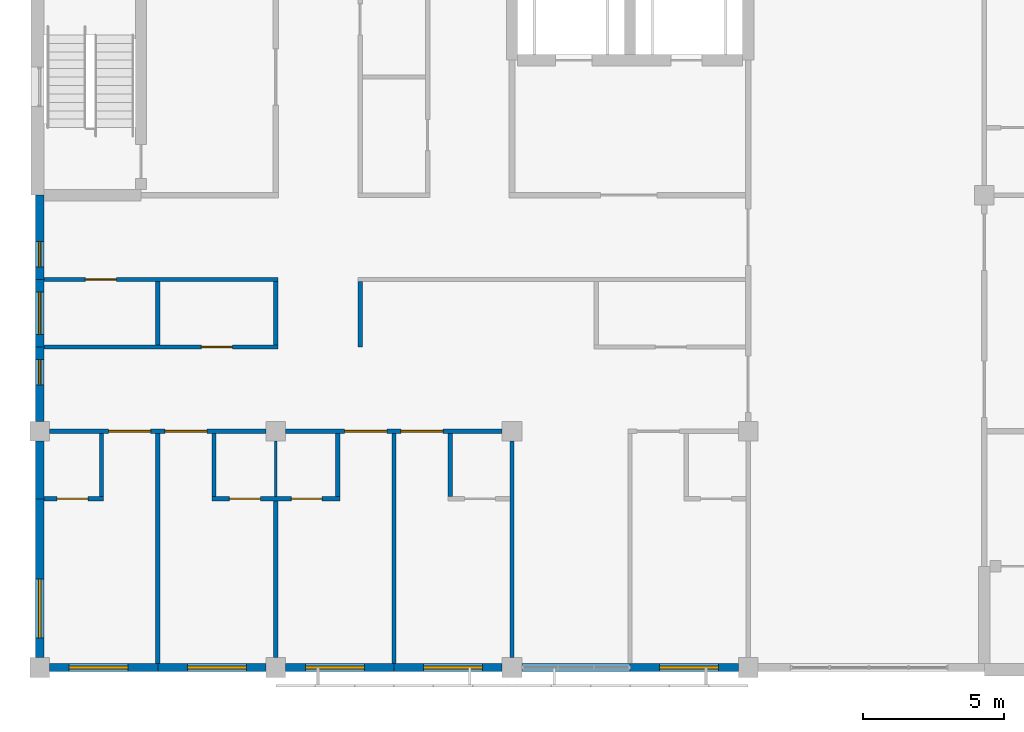
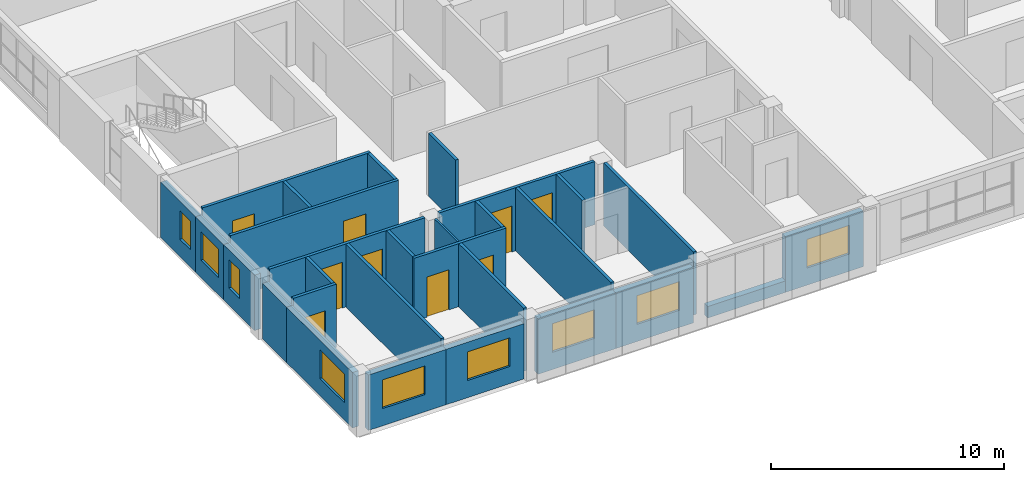
# One storey, part 26 of 48: 29 walls, 9 doors, 9 windows, 18 openings.
"""IFC4 building model written with IfcOpenShell, lengths in metres."""

from ifc_helpers import new_model, si_unit, direction, frame, frame_2d, origin, place, context, subcontext, project, spatial, rectangle, extrude, material, layer, layer_set, type_object, element, fill, save


model = new_model("IFC4")

# Units and contexts
model_context = context("Model", 3, precision=1e-05, world=origin(), true_north=direction((0.0, 1.0)))
body_context = subcontext(model_context, "Body", "Model", "MODEL_VIEW")
ifc_project = project(units=[si_unit("LENGTHUNIT", "METRE"), si_unit("AREAUNIT", "SQUARE_METRE"), si_unit("VOLUMEUNIT", "CUBIC_METRE"), si_unit("PLANEANGLEUNIT", "RADIAN"), si_unit("MASSUNIT", "GRAM", prefix="KILO")], contexts=[model_context])

# Site, building, storey
site_placement = place(None, origin())
site = spatial("IfcSite", under=ifc_project, at=site_placement, CompositionType="ELEMENT")
building_placement = place(site_placement, origin())
building = spatial("IfcBuilding", under=site, at=building_placement, Name="Yavir Park General Hospital", CompositionType="ELEMENT")
storey_placement = place(building_placement, frame((0.0, 0.0, 26.10009765625)))
storey = spatial("IfcBuildingStorey", under=building, at=storey_placement, Name="L06", CompositionType="ELEMENT", Elevation=26.10009765625)

# Wall
ifc_material_1 = material(Name="Gypsum board partition on steel studs", Category="steel")
ifc_layer_1 = layer(ifc_material_1, 0.10009765625)
ifc_layer_set_1 = layer_set([ifc_layer_1], Name="Gypsum board partition on steel studs")
wall_type_1 = type_object("IfcWallType", Name="Gypsum board partition 100", PredefinedType="PARTITIONING", material=ifc_layer_set_1)
wall_1_placement = place(storey_placement, frame((8.39990234375, 6.074951171875, 0.0), z_axis=(0.0, 0.0, 1.0), x_axis=(0.0, 1.0, 0.0)))
element("IfcWall", 1, at=wall_1_placement, inside=storey, type_object=wall_type_1, Name="P10 L06-148", PredefinedType="PARTITIONING", context=body_context, shape_type="SweptSolid", body=[
    extrude(rectangle(XDim=1.97509765625, YDim=0.10009765625, at=frame_2d((0.987548828125, 0.0))), origin(), (0.0, 0.0, 1.0), 3.2998046875),
])

# Wall, opening, door
ifc_material_2 = material(Name="Gypsum board partition on steel studs", Category="steel")
ifc_layer_2 = layer(ifc_material_2, 0.14990234375)
ifc_layer_set_2 = layer_set([ifc_layer_2], Name="Gypsum board partition on steel studs")
wall_type_2 = type_object("IfcWallType", Name="Gypsum board partition 150", PredefinedType="PARTITIONING", material=ifc_layer_set_2)
wall_2_placement = place(storey_placement, frame((0.14990234375, 6.0, 0.0), z_axis=(0.0, 0.0, 1.0), x_axis=(1.0, 0.0, 0.0)))
wall_2 = element("IfcWall", 2, at=wall_2_placement, inside=storey, type_object=wall_type_2, Name="P15 L06-004", PredefinedType="PARTITIONING", context=body_context, shape_type="SweptSolid", body=[
    extrude(rectangle(XDim=2.125, YDim=0.14990234375, at=frame_2d((1.0625, 0.0))), origin(), (0.0, 0.0, 1.0), 3.2998046875),
])
opening_1_placement = place(wall_2_placement, frame((0.47509765625, 0.0, 0.0)))
opening_1 = element("IfcOpeningElement", 3, at=opening_1_placement, cuts=wall_2, Name="Opening L06.D004", PredefinedType="OPENING", context=body_context, shape_type="SweptSolid", body=[
    extrude(rectangle(XDim=1.10009765625, YDim=2.10009765625, at=frame_2d((0.550048828125, 1.050048828125))), frame((0.0, 0.0849609375, 0.0), z_axis=(0.0, -1.0, 0.0), x_axis=(1.0, 0.0, 0.0)), (0.0, 0.0, 1.0), 0.169921875),
])
ifc_material_3 = material(Name="Hollow metal frame, solid-core timber leaf", Category="wood")
door_type_1 = type_object("IfcDoorType", Name="Single swing door 1100 x 2100", OperationType="SINGLE_SWING_LEFT", PredefinedType="DOOR", material=ifc_material_3)
door_1_placement = place(opening_1_placement, origin())
door_1 = element("IfcDoor", 4, at=door_1_placement, inside=storey, type_object=door_type_1, Name="L06.D004", OperationType="SINGLE_SWING_LEFT", OverallHeight=2.10009765625, OverallWidth=1.10009765625, PredefinedType="DOOR", context=body_context, shape_type="SweptSolid", body=[
    extrude(rectangle(XDim=1.10009765625, YDim=2.10009765625, at=frame_2d((0.550048828125, 1.050048828125))), frame((0.0, 0.02490234375, 0.0), z_axis=(0.0, -1.0, 0.0), x_axis=(1.0, 0.0, 0.0)), (0.0, 0.0, 1.0), 0.050048828125),
])
fill(opening_1, door_1)

# Wall, openings, doors
wall_3_placement = place(storey_placement, frame((6.125, 6.0, 0.0), z_axis=(0.0, 0.0, 1.0), x_axis=(1.0, 0.0, 0.0)))
wall_3 = element("IfcWall", 5, at=wall_3_placement, inside=storey, type_object=wall_type_2, Name="P15 L06-005", PredefinedType="PARTITIONING", context=body_context, shape_type="SweptSolid", body=[
    extrude(rectangle(XDim=4.550048828125, YDim=0.14990234375, at=frame_2d((2.27490234375, 0.0))), origin(), (0.0, 0.0, 1.0), 3.2998046875),
])
opening_2_placement = place(wall_3_placement, frame((0.625, 0.0, 0.0)))
opening_2 = element("IfcOpeningElement", 6, at=opening_2_placement, cuts=wall_3, Name="Opening L06.D005", PredefinedType="OPENING", context=body_context, shape_type="SweptSolid", body=[
    extrude(rectangle(XDim=1.10009765625, YDim=2.10009765625, at=frame_2d((0.550048828125, 1.050048828125))), frame((0.0, 0.0849609375, 0.0), z_axis=(0.0, -1.0, 0.0), x_axis=(1.0, 0.0, 0.0)), (0.0, 0.0, 1.0), 0.169921875),
])
opening_3_placement = place(wall_3_placement, frame((2.824951171875, 0.0, 0.0)))
opening_3 = element("IfcOpeningElement", 7, at=opening_3_placement, cuts=wall_3, Name="Opening L06.D006", PredefinedType="OPENING", context=body_context, shape_type="SweptSolid", body=[
    extrude(rectangle(XDim=1.10009765625, YDim=2.10009765625, at=frame_2d((0.550048828125, 1.050048828125))), frame((0.0, 0.0849609375, 0.0), z_axis=(0.0, -1.0, 0.0), x_axis=(1.0, 0.0, 0.0)), (0.0, 0.0, 1.0), 0.169921875),
])
door_2_placement = place(opening_2_placement, origin())
door_2 = element("IfcDoor", 8, at=door_2_placement, inside=storey, type_object=door_type_1, Name="L06.D005", OperationType="SINGLE_SWING_RIGHT", OverallHeight=2.10009765625, OverallWidth=1.10009765625, PredefinedType="DOOR", context=body_context, shape_type="SweptSolid", body=[
    extrude(rectangle(XDim=1.10009765625, YDim=2.10009765625, at=frame_2d((0.550048828125, 1.050048828125))), frame((0.0, 0.02490234375, 0.0), z_axis=(0.0, -1.0, 0.0), x_axis=(1.0, 0.0, 0.0)), (0.0, 0.0, 1.0), 0.050048828125),
])
fill(opening_2, door_2)
door_3_placement = place(opening_3_placement, origin())
door_3 = element("IfcDoor", 9, at=door_3_placement, inside=storey, type_object=door_type_1, Name="L06.D006", OperationType="SINGLE_SWING_LEFT", OverallHeight=2.10009765625, OverallWidth=1.10009765625, PredefinedType="DOOR", context=body_context, shape_type="SweptSolid", body=[
    extrude(rectangle(XDim=1.10009765625, YDim=2.10009765625, at=frame_2d((0.550048828125, 1.050048828125))), frame((0.0, 0.02490234375, 0.0), z_axis=(0.0, -1.0, 0.0), x_axis=(1.0, 0.0, 0.0)), (0.0, 0.0, 1.0), 0.050048828125),
])
fill(opening_3, door_3)

wall_4_placement = place(storey_placement, frame((0.35009765625, 8.39990234375, 0.0), z_axis=(0.0, 0.0, 1.0), x_axis=(1.0, 0.0, 0.0)))
wall_4 = element("IfcWall", 10, at=wall_4_placement, inside=storey, type_object=wall_type_2, Name="P15 L06-014", PredefinedType="PARTITIONING", context=body_context, shape_type="SweptSolid", body=[
    extrude(rectangle(XDim=7.699951171875, YDim=0.14990234375, at=frame_2d((3.85009765625, 0.0))), origin(), (0.0, 0.0, 1.0), 3.2998046875),
])
opening_4_placement = place(wall_4_placement, frame((2.10009765625, 0.0, 0.0)))
opening_4 = element("IfcOpeningElement", 11, at=opening_4_placement, cuts=wall_4, Name="Opening L06.D019", PredefinedType="OPENING", context=body_context, shape_type="SweptSolid", body=[
    extrude(rectangle(XDim=1.5, YDim=2.39990234375, at=frame_2d((0.75, 1.199951171875))), frame((0.0, 0.0849609375, 0.0), z_axis=(0.0, -1.0, 0.0), x_axis=(1.0, 0.0, 0.0)), (0.0, 0.0, 1.0), 0.169921875),
])
opening_5_placement = place(wall_4_placement, frame((4.10009765625, 0.0, 0.0)))
opening_5 = element("IfcOpeningElement", 12, at=opening_5_placement, cuts=wall_4, Name="Opening L06.D020", PredefinedType="OPENING", context=body_context, shape_type="SweptSolid", body=[
    extrude(rectangle(XDim=1.5, YDim=2.39990234375, at=frame_2d((0.75, 1.199951171875))), frame((0.0, 0.0849609375, 0.0), z_axis=(0.0, -1.0, 0.0), x_axis=(1.0, 0.0, 0.0)), (0.0, 0.0, 1.0), 0.169921875),
])
ifc_material_4 = material(Name="Solid-core timber leaves, push plates, kick plates", Category="wood")
door_type_2 = type_object("IfcDoorType", Name="Bed door, unequal leaves 1500 x 2400", OperationType="DOUBLE_DOOR_SINGLE_SWING", PredefinedType="DOOR", material=ifc_material_4)
door_4_placement = place(opening_4_placement, origin())
door_4 = element("IfcDoor", 13, at=door_4_placement, inside=storey, type_object=door_type_2, Name="L06.D019", OperationType="SINGLE_SWING_LEFT", OverallHeight=2.39990234375, OverallWidth=1.5, PredefinedType="DOOR", context=body_context, shape_type="SweptSolid", body=[
    extrude(rectangle(XDim=1.5, YDim=2.39990234375, at=frame_2d((0.75, 1.199951171875))), frame((0.0, 0.030029296875, 0.0), z_axis=(0.0, -1.0, 0.0), x_axis=(1.0, 0.0, 0.0)), (0.0, 0.0, 1.0), 0.06005859375),
])
fill(opening_4, door_4)
door_5_placement = place(opening_5_placement, origin())
door_5 = element("IfcDoor", 14, at=door_5_placement, inside=storey, type_object=door_type_2, Name="L06.D020", OperationType="SINGLE_SWING_LEFT", OverallHeight=2.39990234375, OverallWidth=1.5, PredefinedType="DOOR", context=body_context, shape_type="SweptSolid", body=[
    extrude(rectangle(XDim=1.5, YDim=2.39990234375, at=frame_2d((0.75, 1.199951171875))), frame((0.0, 0.030029296875, 0.0), z_axis=(0.0, -1.0, 0.0), x_axis=(1.0, 0.0, 0.0)), (0.0, 0.0, 1.0), 0.06005859375),
])
fill(opening_5, door_5)

wall_5_placement = place(storey_placement, frame((8.75, 8.39990234375, 0.0), z_axis=(0.0, 0.0, 1.0), x_axis=(1.0, 0.0, 0.0)))
wall_5 = element("IfcWall", 15, at=wall_5_placement, inside=storey, type_object=wall_type_2, Name="P15 L06-015", PredefinedType="PARTITIONING", context=body_context, shape_type="SweptSolid", body=[
    extrude(rectangle(XDim=7.699951171875, YDim=0.14990234375, at=frame_2d((3.85009765625, 0.0))), origin(), (0.0, 0.0, 1.0), 3.2998046875),
])
opening_6_placement = place(wall_5_placement, frame((2.10009765625, 0.0, 0.0)))
opening_6 = element("IfcOpeningElement", 16, at=opening_6_placement, cuts=wall_5, Name="Opening L06.D021", PredefinedType="OPENING", context=body_context, shape_type="SweptSolid", body=[
    extrude(rectangle(XDim=1.5, YDim=2.39990234375, at=frame_2d((0.75, 1.199951171875))), frame((0.0, 0.0849609375, 0.0), z_axis=(0.0, -1.0, 0.0), x_axis=(1.0, 0.0, 0.0)), (0.0, 0.0, 1.0), 0.169921875),
])
opening_7_placement = place(wall_5_placement, frame((4.10009765625, 0.0, 0.0)))
opening_7 = element("IfcOpeningElement", 17, at=opening_7_placement, cuts=wall_5, Name="Opening L06.D022", PredefinedType="OPENING", context=body_context, shape_type="SweptSolid", body=[
    extrude(rectangle(XDim=1.5, YDim=2.39990234375, at=frame_2d((0.75, 1.199951171875))), frame((0.0, 0.0849609375, 0.0), z_axis=(0.0, -1.0, 0.0), x_axis=(1.0, 0.0, 0.0)), (0.0, 0.0, 1.0), 0.169921875),
])
door_6_placement = place(opening_6_placement, origin())
door_6 = element("IfcDoor", 18, at=door_6_placement, inside=storey, type_object=door_type_2, Name="L06.D021", OperationType="SINGLE_SWING_LEFT", OverallHeight=2.39990234375, OverallWidth=1.5, PredefinedType="DOOR", context=body_context, shape_type="SweptSolid", body=[
    extrude(rectangle(XDim=1.5, YDim=2.39990234375, at=frame_2d((0.75, 1.199951171875))), frame((0.0, 0.030029296875, 0.0), z_axis=(0.0, -1.0, 0.0), x_axis=(1.0, 0.0, 0.0)), (0.0, 0.0, 1.0), 0.06005859375),
])
fill(opening_6, door_6)
door_7_placement = place(opening_7_placement, origin())
door_7 = element("IfcDoor", 19, at=door_7_placement, inside=storey, type_object=door_type_2, Name="L06.D022", OperationType="SINGLE_SWING_LEFT", OverallHeight=2.39990234375, OverallWidth=1.5, PredefinedType="DOOR", context=body_context, shape_type="SweptSolid", body=[
    extrude(rectangle(XDim=1.5, YDim=2.39990234375, at=frame_2d((0.75, 1.199951171875))), frame((0.0, 0.030029296875, 0.0), z_axis=(0.0, -1.0, 0.0), x_axis=(1.0, 0.0, 0.0)), (0.0, 0.0, 1.0), 0.06005859375),
])
fill(opening_7, door_7)

# Wall, opening, door
wall_6_placement = place(storey_placement, frame((0.14990234375, 11.39990234375, 0.0), z_axis=(0.0, 0.0, 1.0), x_axis=(1.0, 0.0, 0.0)))
wall_6 = element("IfcWall", 20, at=wall_6_placement, inside=storey, type_object=wall_type_2, Name="P15 L06-024", PredefinedType="PARTITIONING", context=body_context, shape_type="SweptSolid", body=[
    extrude(rectangle(XDim=8.3251953125, YDim=0.14990234375, at=frame_2d((4.16259765625, 0.0))), origin(), (0.0, 0.0, 1.0), 3.2998046875),
])
opening_8_placement = place(wall_6_placement, frame((5.60009765625, 0.0, 0.0)))
opening_8 = element("IfcOpeningElement", 21, at=opening_8_placement, cuts=wall_6, Name="Opening L06.D033", PredefinedType="OPENING", context=body_context, shape_type="SweptSolid", body=[
    extrude(rectangle(XDim=1.10009765625, YDim=2.10009765625, at=frame_2d((0.550048828125, 1.050048828125))), frame((0.0, 0.0849609375, 0.0), z_axis=(0.0, -1.0, 0.0), x_axis=(1.0, 0.0, 0.0)), (0.0, 0.0, 1.0), 0.169921875),
])
door_8_placement = place(opening_8_placement, origin())
door_8 = element("IfcDoor", 22, at=door_8_placement, inside=storey, type_object=door_type_1, Name="L06.D033", OperationType="SINGLE_SWING_RIGHT", OverallHeight=2.10009765625, OverallWidth=1.10009765625, PredefinedType="DOOR", context=body_context, shape_type="SweptSolid", body=[
    extrude(rectangle(XDim=1.10009765625, YDim=2.10009765625, at=frame_2d((0.550048828125, 1.050048828125))), frame((0.0, 0.02490234375, 0.0), z_axis=(0.0, -1.0, 0.0), x_axis=(1.0, 0.0, 0.0)), (0.0, 0.0, 1.0), 0.050048828125),
])
fill(opening_8, door_8)

wall_7_placement = place(storey_placement, frame((0.14990234375, 13.800048828125, 0.0), z_axis=(0.0, 0.0, 1.0), x_axis=(1.0, 0.0, 0.0)))
wall_7 = element("IfcWall", 23, at=wall_7_placement, inside=storey, type_object=wall_type_2, Name="P15 L06-030", PredefinedType="PARTITIONING", context=body_context, shape_type="SweptSolid", body=[
    extrude(rectangle(XDim=8.3251953125, YDim=0.14990234375, at=frame_2d((4.16259765625, 0.0))), origin(), (0.0, 0.0, 1.0), 3.2998046875),
])
opening_9_placement = place(wall_7_placement, frame((1.47509765625, 0.0, 0.0)))
opening_9 = element("IfcOpeningElement", 24, at=opening_9_placement, cuts=wall_7, Name="Opening L06.D037", PredefinedType="OPENING", context=body_context, shape_type="SweptSolid", body=[
    extrude(rectangle(XDim=1.10009765625, YDim=2.10009765625, at=frame_2d((0.550048828125, 1.050048828125))), frame((0.0, 0.0849609375, 0.0), z_axis=(0.0, -1.0, 0.0), x_axis=(1.0, 0.0, 0.0)), (0.0, 0.0, 1.0), 0.169921875),
])
door_9_placement = place(opening_9_placement, origin())
door_9 = element("IfcDoor", 25, at=door_9_placement, inside=storey, type_object=door_type_1, Name="L06.D037", OperationType="SINGLE_SWING_RIGHT", OverallHeight=2.10009765625, OverallWidth=1.10009765625, PredefinedType="DOOR", context=body_context, shape_type="SweptSolid", body=[
    extrude(rectangle(XDim=1.10009765625, YDim=2.10009765625, at=frame_2d((0.550048828125, 1.050048828125))), frame((0.0, 0.02490234375, 0.0), z_axis=(0.0, -1.0, 0.0), x_axis=(1.0, 0.0, 0.0)), (0.0, 0.0, 1.0), 0.050048828125),
])
fill(opening_9, door_9)

# Walls
wall_8_placement = place(storey_placement, frame((2.199951171875, 6.074951171875, 0.0), z_axis=(0.0, 0.0, 1.0), x_axis=(0.0, 1.0, 0.0)))
element("IfcWall", 26, at=wall_8_placement, inside=storey, type_object=wall_type_2, Name="P15 L06-132", PredefinedType="PARTITIONING", context=body_context, shape_type="SweptSolid", body=[
    extrude(rectangle(XDim=2.25, YDim=0.14990234375, at=frame_2d((1.125, 0.0))), origin(), (0.0, 0.0, 1.0), 3.2998046875),
])
wall_9_placement = place(storey_placement, frame((4.199951171875, 0.14990234375, 0.0), z_axis=(0.0, 0.0, 1.0), x_axis=(0.0, 1.0, 0.0)))
element("IfcWall", 27, at=wall_9_placement, inside=storey, type_object=wall_type_2, Name="P15 L06-135", PredefinedType="PARTITIONING", context=body_context, shape_type="SweptSolid", body=[
    extrude(rectangle(XDim=8.175048828125, YDim=0.14990234375, at=frame_2d((4.08740234375, 0.0))), origin(), (0.0, 0.0, 1.0), 3.2998046875),
])
for number, where, z_axis, x_axis, name in (
    (28, (4.199951171875, 11.47509765625, 0.0), (0.0, 0.0, 1.0), (0.0, 1.0, 0.0), "P15 L06-136"),
    (29, (6.199951171875, 6.074951171875, 0.0), (0.0, 0.0, 1.0), (0.0, 1.0, 0.0), "P15 L06-146"),
):
    element("IfcWall", number, at=place(storey_placement, frame(where, z_axis=z_axis, x_axis=x_axis)), inside=storey, type_object=wall_type_2, Name=name, PredefinedType="PARTITIONING", context=body_context, shape_type="SweptSolid", body=[
        extrude(rectangle(XDim=2.25, YDim=0.14990234375, at=frame_2d((1.125, 0.0))), origin(), (0.0, 0.0, 1.0), 3.2998046875),
    ])
wall_10_placement = place(storey_placement, frame((8.39990234375, 0.35009765625, 0.0), z_axis=(0.0, 0.0, 1.0), x_axis=(0.0, 1.0, 0.0)))
element("IfcWall", 30, at=wall_10_placement, inside=storey, type_object=wall_type_2, Name="P15 L06-147", PredefinedType="PARTITIONING", context=body_context, shape_type="SweptSolid", body=[
    extrude(rectangle(XDim=5.574951171875, YDim=0.14990234375, at=frame_2d((2.78759765625, 0.0))), origin(), (0.0, 0.0, 1.0), 3.2998046875),
])
for number, where, z_axis, x_axis, name in (
    (31, (8.39990234375, 11.47509765625, 0.0), (0.0, 0.0, 1.0), (0.0, 1.0, 0.0), "P15 L06-149"),
    (32, (10.60009765625, 6.074951171875, 0.0), (0.0, 0.0, 1.0), (0.0, 1.0, 0.0), "P15 L06-162"),
):
    element("IfcWall", number, at=place(storey_placement, frame(where, z_axis=z_axis, x_axis=x_axis)), inside=storey, type_object=wall_type_2, Name=name, PredefinedType="PARTITIONING", context=body_context, shape_type="SweptSolid", body=[
        extrude(rectangle(XDim=2.25, YDim=0.14990234375, at=frame_2d((1.125, 0.0))), origin(), (0.0, 0.0, 1.0), 3.2998046875),
    ])
wall_11_placement = place(storey_placement, frame((11.39990234375, 11.39990234375, 0.0), z_axis=(0.0, 0.0, 1.0), x_axis=(0.0, 1.0, 0.0)))
element("IfcWall", 33, at=wall_11_placement, inside=storey, type_object=wall_type_2, Name="P15 L06-163", PredefinedType="PARTITIONING", context=body_context, shape_type="SweptSolid", body=[
    extrude(rectangle(XDim=2.3251953125, YDim=0.14990234375, at=frame_2d((1.16259765625, 0.0))), origin(), (0.0, 0.0, 1.0), 3.2998046875),
])
wall_12_placement = place(storey_placement, frame((12.60009765625, 0.14990234375, 0.0), z_axis=(0.0, 0.0, 1.0), x_axis=(0.0, 1.0, 0.0)))
element("IfcWall", 34, at=wall_12_placement, inside=storey, type_object=wall_type_2, Name="P15 L06-168", PredefinedType="PARTITIONING", context=body_context, shape_type="SweptSolid", body=[
    extrude(rectangle(XDim=8.175048828125, YDim=0.14990234375, at=frame_2d((4.08740234375, 0.0))), origin(), (0.0, 0.0, 1.0), 3.2998046875),
])
wall_13_placement = place(storey_placement, frame((14.60009765625, 6.074951171875, 0.0), z_axis=(0.0, 0.0, 1.0), x_axis=(0.0, 1.0, 0.0)))
element("IfcWall", 35, at=wall_13_placement, inside=storey, type_object=wall_type_2, Name="P15 L06-173", PredefinedType="PARTITIONING", context=body_context, shape_type="SweptSolid", body=[
    extrude(rectangle(XDim=2.25, YDim=0.14990234375, at=frame_2d((1.125, 0.0))), origin(), (0.0, 0.0, 1.0), 3.2998046875),
])
wall_14_placement = place(storey_placement, frame((16.800048828125, 0.35009765625, 0.0), z_axis=(0.0, 0.0, 1.0), x_axis=(0.0, 1.0, 0.0)))
element("IfcWall", 36, at=wall_14_placement, inside=storey, type_object=wall_type_2, Name="P15 L06-174", PredefinedType="PARTITIONING", context=body_context, shape_type="SweptSolid", body=[
    extrude(rectangle(XDim=7.699951171875, YDim=0.14990234375, at=frame_2d((3.85009765625, 0.0))), origin(), (0.0, 0.0, 1.0), 3.2998046875),
])

# Wall, opening, window
ifc_material_5 = material(Name="Autoclaved aerated block, mineral wool and ochre mineral render")
ifc_layer_3 = layer(ifc_material_5, 0.300048828125)
ifc_layer_set_3 = layer_set([ifc_layer_3], Name="Autoclaved aerated block, mineral wool and ochre mineral render")
wall_type_3 = type_object("IfcWallType", Name="Ochre render ward wall 300, E 30", PredefinedType="SOLIDWALL", material=ifc_layer_set_3)
wall_15_placement = place(storey_placement, frame((0.35009765625, 0.0, 0.0), z_axis=(0.0, 0.0, 1.0), x_axis=(1.0, 0.0, 0.0)))
wall_15 = element("IfcWall", 37, at=wall_15_placement, inside=storey, type_object=wall_type_3, Name="XW7 L06-001", PredefinedType="SOLIDWALL", context=body_context, shape_type="SweptSolid", body=[
    extrude(rectangle(XDim=3.849853515625, YDim=0.300048828125, at=frame_2d((1.9248046875, 0.0))), origin(), (0.0, 0.0, 1.0), 2.89990234375),
])
opening_10_placement = place(wall_15_placement, frame((0.699951171875, 0.0, 0.89990234375)))
opening_10 = element("IfcOpeningElement", 38, at=opening_10_placement, cuts=wall_15, Name="Opening WAR", PredefinedType="OPENING", context=body_context, shape_type="SweptSolid", body=[
    extrude(rectangle(XDim=2.10009765625, YDim=1.5, at=frame_2d((1.050048828125, 0.75))), frame((0.0, 0.159912109375, 0.0), z_axis=(0.0, -1.0, 0.0), x_axis=(1.0, 0.0, 0.0)), (0.0, 0.0, 1.0), 0.320068359375),
])
ifc_material_6 = material(Name="Aluminium frame, tilt-and-turn sash with opening restrictor, double glazed unit", Category="aluminium")
window_type_1 = type_object("IfcWindowType", Name="Ward window, restricted opening 2100 x 1500", PartitioningType="DOUBLE_PANEL_VERTICAL", PredefinedType="WINDOW", material=ifc_material_6)
window_1_placement = place(opening_10_placement, origin())
window_1 = element("IfcWindow", 39, at=window_1_placement, inside=storey, type_object=window_type_1, Name="WAR L06-001", OverallHeight=1.5, OverallWidth=2.10009765625, PartitioningType="DOUBLE_PANEL_VERTICAL", PredefinedType="WINDOW", context=body_context, shape_type="SweptSolid", body=[
    extrude(rectangle(XDim=2.10009765625, YDim=1.5, at=frame_2d((1.050048828125, 0.75))), frame((0.0, 0.050048828125, 0.0), z_axis=(0.0, -1.0, 0.0), x_axis=(1.0, 0.0, 0.0)), (0.0, 0.0, 1.0), 0.10009765625),
])
fill(opening_10, window_1)

wall_16_placement = place(storey_placement, frame((4.199951171875, 0.0, 0.0), z_axis=(0.0, 0.0, 1.0), x_axis=(1.0, 0.0, 0.0)))
wall_16 = element("IfcWall", 40, at=wall_16_placement, inside=storey, type_object=wall_type_3, Name="XW7 L06-002", PredefinedType="SOLIDWALL", context=body_context, shape_type="SweptSolid", body=[
    extrude(rectangle(XDim=3.85009765625, YDim=0.300048828125, at=frame_2d((1.925048828125, 0.0))), origin(), (0.0, 0.0, 1.0), 2.89990234375),
])
opening_11_placement = place(wall_16_placement, frame((1.050048828125, 0.0, 0.89990234375)))
opening_11 = element("IfcOpeningElement", 41, at=opening_11_placement, cuts=wall_16, Name="Opening WAR", PredefinedType="OPENING", context=body_context, shape_type="SweptSolid", body=[
    extrude(rectangle(XDim=2.10009765625, YDim=1.5, at=frame_2d((1.050048828125, 0.75))), frame((0.0, 0.159912109375, 0.0), z_axis=(0.0, -1.0, 0.0), x_axis=(1.0, 0.0, 0.0)), (0.0, 0.0, 1.0), 0.320068359375),
])
window_2_placement = place(opening_11_placement, origin())
window_2 = element("IfcWindow", 42, at=window_2_placement, inside=storey, type_object=window_type_1, Name="WAR L06-002", OverallHeight=1.5, OverallWidth=2.10009765625, PartitioningType="DOUBLE_PANEL_VERTICAL", PredefinedType="WINDOW", context=body_context, shape_type="SweptSolid", body=[
    extrude(rectangle(XDim=2.10009765625, YDim=1.5, at=frame_2d((1.050048828125, 0.75))), frame((0.0, 0.050048828125, 0.0), z_axis=(0.0, -1.0, 0.0), x_axis=(1.0, 0.0, 0.0)), (0.0, 0.0, 1.0), 0.10009765625),
])
fill(opening_11, window_2)

wall_17_placement = place(storey_placement, frame((8.75, 0.0, 0.0), z_axis=(0.0, 0.0, 1.0), x_axis=(1.0, 0.0, 0.0)))
wall_17 = element("IfcWall", 43, at=wall_17_placement, inside=storey, type_object=wall_type_3, Name="XW7 L06-003", PredefinedType="SOLIDWALL", context=body_context, shape_type="SweptSolid", body=[
    extrude(rectangle(XDim=3.85009765625, YDim=0.300048828125, at=frame_2d((1.925048828125, 0.0))), origin(), (0.0, 0.0, 1.0), 2.89990234375),
])
opening_12_placement = place(wall_17_placement, frame((0.699951171875, 0.0, 0.89990234375)))
opening_12 = element("IfcOpeningElement", 44, at=opening_12_placement, cuts=wall_17, Name="Opening WAR", PredefinedType="OPENING", context=body_context, shape_type="SweptSolid", body=[
    extrude(rectangle(XDim=2.10009765625, YDim=1.5, at=frame_2d((1.050048828125, 0.75))), frame((0.0, 0.159912109375, 0.0), z_axis=(0.0, -1.0, 0.0), x_axis=(1.0, 0.0, 0.0)), (0.0, 0.0, 1.0), 0.320068359375),
])
window_3_placement = place(opening_12_placement, origin())
window_3 = element("IfcWindow", 45, at=window_3_placement, inside=storey, type_object=window_type_1, Name="WAR L06-003", OverallHeight=1.5, OverallWidth=2.10009765625, PartitioningType="DOUBLE_PANEL_VERTICAL", PredefinedType="WINDOW", context=body_context, shape_type="SweptSolid", body=[
    extrude(rectangle(XDim=2.10009765625, YDim=1.5, at=frame_2d((1.050048828125, 0.75))), frame((0.0, 0.050048828125, 0.0), z_axis=(0.0, -1.0, 0.0), x_axis=(1.0, 0.0, 0.0)), (0.0, 0.0, 1.0), 0.10009765625),
])
fill(opening_12, window_3)

wall_18_placement = place(storey_placement, frame((12.60009765625, 0.0, 0.0), z_axis=(0.0, 0.0, 1.0), x_axis=(1.0, 0.0, 0.0)))
wall_18 = element("IfcWall", 46, at=wall_18_placement, inside=storey, type_object=wall_type_3, Name="XW7 L06-004", PredefinedType="SOLIDWALL", context=body_context, shape_type="SweptSolid", body=[
    extrude(rectangle(XDim=3.849853515625, YDim=0.300048828125, at=frame_2d((1.9248046875, 0.0))), origin(), (0.0, 0.0, 1.0), 2.89990234375),
])
opening_13_placement = place(wall_18_placement, frame((1.050048828125, 0.0, 0.89990234375)))
opening_13 = element("IfcOpeningElement", 47, at=opening_13_placement, cuts=wall_18, Name="Opening WAR", PredefinedType="OPENING", context=body_context, shape_type="SweptSolid", body=[
    extrude(rectangle(XDim=2.10009765625, YDim=1.5, at=frame_2d((1.050048828125, 0.75))), frame((0.0, 0.159912109375, 0.0), z_axis=(0.0, -1.0, 0.0), x_axis=(1.0, 0.0, 0.0)), (0.0, 0.0, 1.0), 0.320068359375),
])
window_4_placement = place(opening_13_placement, origin())
window_4 = element("IfcWindow", 48, at=window_4_placement, inside=storey, type_object=window_type_1, Name="WAR L06-004", OverallHeight=1.5, OverallWidth=2.10009765625, PartitioningType="DOUBLE_PANEL_VERTICAL", PredefinedType="WINDOW", context=body_context, shape_type="SweptSolid", body=[
    extrude(rectangle(XDim=2.10009765625, YDim=1.5, at=frame_2d((1.050048828125, 0.75))), frame((0.0, 0.050048828125, 0.0), z_axis=(0.0, -1.0, 0.0), x_axis=(1.0, 0.0, 0.0)), (0.0, 0.0, 1.0), 0.10009765625),
])
fill(opening_13, window_4)

# Wall
wall_19_placement = place(storey_placement, frame((17.14990234375, 0.0, 0.0), z_axis=(0.0, 0.0, 1.0), x_axis=(1.0, 0.0, 0.0)))
element("IfcWall", 49, at=wall_19_placement, inside=storey, type_object=wall_type_3, Name="XW7 L06-005", PredefinedType="SOLIDWALL", context=body_context, shape_type="SweptSolid", body=[
    extrude(rectangle(XDim=3.85009765625, YDim=0.300048828125, at=frame_2d((1.925048828125, 0.0))), origin(), (0.0, 0.0, 1.0), 0.599853515625),
])

# Wall, opening, window
wall_20_placement = place(storey_placement, frame((21.0, 0.0, 0.0), z_axis=(0.0, 0.0, 1.0), x_axis=(1.0, 0.0, 0.0)))
wall_20 = element("IfcWall", 50, at=wall_20_placement, inside=storey, type_object=wall_type_3, Name="XW7 L06-006", PredefinedType="SOLIDWALL", context=body_context, shape_type="SweptSolid", body=[
    extrude(rectangle(XDim=3.85009765625, YDim=0.300048828125, at=frame_2d((1.925048828125, 0.0))), origin(), (0.0, 0.0, 1.0), 2.89990234375),
])
opening_14_placement = place(wall_20_placement, frame((1.050048828125, 0.0, 0.89990234375)))
opening_14 = element("IfcOpeningElement", 51, at=opening_14_placement, cuts=wall_20, Name="Opening WAR", PredefinedType="OPENING", context=body_context, shape_type="SweptSolid", body=[
    extrude(rectangle(XDim=2.10009765625, YDim=1.5, at=frame_2d((1.050048828125, 0.75))), frame((0.0, 0.159912109375, 0.0), z_axis=(0.0, -1.0, 0.0), x_axis=(1.0, 0.0, 0.0)), (0.0, 0.0, 1.0), 0.320068359375),
])
window_5_placement = place(opening_14_placement, origin())
window_5 = element("IfcWindow", 52, at=window_5_placement, inside=storey, type_object=window_type_1, Name="WAR L06-005", OverallHeight=1.5, OverallWidth=2.10009765625, PartitioningType="DOUBLE_PANEL_VERTICAL", PredefinedType="WINDOW", context=body_context, shape_type="SweptSolid", body=[
    extrude(rectangle(XDim=2.10009765625, YDim=1.5, at=frame_2d((1.050048828125, 0.75))), frame((0.0, 0.050048828125, 0.0), z_axis=(0.0, -1.0, 0.0), x_axis=(1.0, 0.0, 0.0)), (0.0, 0.0, 1.0), 0.10009765625),
])
fill(opening_14, window_5)

wall_21_placement = place(storey_placement, frame((0.0, 0.35009765625, 0.0), z_axis=(0.0, 0.0, 1.0), x_axis=(0.0, 1.0, 0.0)))
wall_21 = element("IfcWall", 53, at=wall_21_placement, inside=storey, type_object=wall_type_3, Name="XW7 L06-069", PredefinedType="SOLIDWALL", context=body_context, shape_type="SweptSolid", body=[
    extrude(rectangle(XDim=5.64990234375, YDim=0.300048828125, at=frame_2d((2.824951171875, 0.0))), origin(), (0.0, 0.0, 1.0), 2.89990234375),
])
opening_15_placement = place(wall_21_placement, frame((0.699951171875, 0.0, 0.89990234375)))
opening_15 = element("IfcOpeningElement", 54, at=opening_15_placement, cuts=wall_21, Name="Opening WAR", PredefinedType="OPENING", context=body_context, shape_type="SweptSolid", body=[
    extrude(rectangle(XDim=2.10009765625, YDim=1.5, at=frame_2d((1.050048828125, 0.75))), frame((0.0, 0.159912109375, 0.0), z_axis=(0.0, -1.0, 0.0), x_axis=(1.0, 0.0, 0.0)), (0.0, 0.0, 1.0), 0.320068359375),
])
window_6_placement = place(opening_15_placement, origin())
window_6 = element("IfcWindow", 55, at=window_6_placement, inside=storey, type_object=window_type_1, Name="WAR L06-022", OverallHeight=1.5, OverallWidth=2.10009765625, PartitioningType="DOUBLE_PANEL_VERTICAL", PredefinedType="WINDOW", context=body_context, shape_type="SweptSolid", body=[
    extrude(rectangle(XDim=2.10009765625, YDim=1.5, at=frame_2d((1.050048828125, 0.75))), frame((0.0, 0.050048828125, 0.0), z_axis=(0.0, -1.0, 0.0), x_axis=(1.0, 0.0, 0.0)), (0.0, 0.0, 1.0), 0.10009765625),
])
fill(opening_15, window_6)

# Wall
wall_22_placement = place(storey_placement, frame((0.0, 6.0, 0.0), z_axis=(0.0, 0.0, 1.0), x_axis=(0.0, 1.0, 0.0)))
element("IfcWall", 56, at=wall_22_placement, inside=storey, type_object=wall_type_3, Name="XW7 L06-070", PredefinedType="SOLIDWALL", context=body_context, shape_type="SweptSolid", body=[
    extrude(rectangle(XDim=2.050048828125, YDim=0.300048828125, at=frame_2d((1.02490234375, 0.0))), origin(), (0.0, 0.0, 1.0), 2.89990234375),
])

# Wall, opening, window
wall_23_placement = place(storey_placement, frame((0.0, 8.75, 0.0), z_axis=(0.0, 0.0, 1.0), x_axis=(0.0, 1.0, 0.0)))
wall_23 = element("IfcWall", 57, at=wall_23_placement, inside=storey, type_object=wall_type_3, Name="XW7 L06-071", PredefinedType="SOLIDWALL", context=body_context, shape_type="SweptSolid", body=[
    extrude(rectangle(XDim=2.64990234375, YDim=0.300048828125, at=frame_2d((1.324951171875, 0.0))), origin(), (0.0, 0.0, 1.0), 2.89990234375),
])
opening_16_placement = place(wall_23_placement, frame((1.300048828125, 0.0, 0.89990234375)))
opening_16 = element("IfcOpeningElement", 58, at=opening_16_placement, cuts=wall_23, Name="Opening WH", PredefinedType="OPENING", context=body_context, shape_type="SweptSolid", body=[
    extrude(rectangle(XDim=0.89990234375, YDim=1.5, at=frame_2d((0.449951171875, 0.75))), frame((0.0, 0.159912109375, 0.0), z_axis=(0.0, -1.0, 0.0), x_axis=(1.0, 0.0, 0.0)), (0.0, 0.0, 1.0), 0.320068359375),
])
ifc_material_7 = material(Name="Aluminium frame, double glazed unit", Category="aluminium")
window_type_2 = type_object("IfcWindowType", Name="Narrow window 900 x 1500", PartitioningType="SINGLE_PANEL", PredefinedType="WINDOW", material=ifc_material_7)
window_7_placement = place(opening_16_placement, origin())
window_7 = element("IfcWindow", 59, at=window_7_placement, inside=storey, type_object=window_type_2, Name="WH L06-023", OverallHeight=1.5, OverallWidth=0.89990234375, PartitioningType="SINGLE_PANEL", PredefinedType="WINDOW", context=body_context, shape_type="SweptSolid", body=[
    extrude(rectangle(XDim=0.89990234375, YDim=1.5, at=frame_2d((0.449951171875, 0.75))), frame((0.0, 0.030029296875, 0.0), z_axis=(0.0, -1.0, 0.0), x_axis=(1.0, 0.0, 0.0)), (0.0, 0.0, 1.0), 0.06005859375),
])
fill(opening_16, window_7)

wall_24_placement = place(storey_placement, frame((0.0, 11.39990234375, 0.0), z_axis=(0.0, 0.0, 1.0), x_axis=(0.0, 1.0, 0.0)))
wall_24 = element("IfcWall", 60, at=wall_24_placement, inside=storey, type_object=wall_type_3, Name="XW7 L06-072", PredefinedType="SOLIDWALL", context=body_context, shape_type="SweptSolid", body=[
    extrude(rectangle(XDim=2.400146484375, YDim=0.300048828125, at=frame_2d((1.2001953125, 0.0))), origin(), (0.0, 0.0, 1.0), 2.89990234375),
])
opening_17_placement = place(wall_24_placement, frame((0.449951171875, 0.0, 0.89990234375)))
opening_17 = element("IfcOpeningElement", 61, at=opening_17_placement, cuts=wall_24, Name="Opening WC", PredefinedType="OPENING", context=body_context, shape_type="SweptSolid", body=[
    extrude(rectangle(XDim=1.5, YDim=1.5, at=frame_2d((0.75, 0.75))), frame((0.0, 0.159912109375, 0.0), z_axis=(0.0, -1.0, 0.0), x_axis=(1.0, 0.0, 0.0)), (0.0, 0.0, 1.0), 0.320068359375),
])
ifc_material_8 = material(Name="Aluminium frame, double glazed unit", Category="aluminium")
window_type_3 = type_object("IfcWindowType", Name="Consulting room window 1500 x 1500", PartitioningType="SINGLE_PANEL", PredefinedType="WINDOW", material=ifc_material_8)
window_8_placement = place(opening_17_placement, origin())
window_8 = element("IfcWindow", 62, at=window_8_placement, inside=storey, type_object=window_type_3, Name="WC L06-024", OverallHeight=1.5, OverallWidth=1.5, PartitioningType="SINGLE_PANEL", PredefinedType="WINDOW", context=body_context, shape_type="SweptSolid", body=[
    extrude(rectangle(XDim=1.5, YDim=1.5, at=frame_2d((0.75, 0.75))), frame((0.0, 0.030029296875, 0.0), z_axis=(0.0, -1.0, 0.0), x_axis=(1.0, 0.0, 0.0)), (0.0, 0.0, 1.0), 0.06005859375),
])
fill(opening_17, window_8)

wall_25_placement = place(storey_placement, frame((0.0, 13.800048828125, 0.0), z_axis=(0.0, 0.0, 1.0), x_axis=(0.0, 1.0, 0.0)))
wall_25 = element("IfcWall", 63, at=wall_25_placement, inside=storey, type_object=wall_type_3, Name="XW7 L06-073", PredefinedType="SOLIDWALL", context=body_context, shape_type="SweptSolid", body=[
    extrude(rectangle(XDim=3.0, YDim=0.300048828125, at=frame_2d((1.5, 0.0))), origin(), (0.0, 0.0, 1.0), 2.89990234375),
])
opening_18_placement = place(wall_25_placement, frame((0.449951171875, 0.0, 0.89990234375)))
opening_18 = element("IfcOpeningElement", 64, at=opening_18_placement, cuts=wall_25, Name="Opening WH", PredefinedType="OPENING", context=body_context, shape_type="SweptSolid", body=[
    extrude(rectangle(XDim=0.89990234375, YDim=1.5, at=frame_2d((0.449951171875, 0.75))), frame((0.0, 0.159912109375, 0.0), z_axis=(0.0, -1.0, 0.0), x_axis=(1.0, 0.0, 0.0)), (0.0, 0.0, 1.0), 0.320068359375),
])
window_9_placement = place(opening_18_placement, origin())
window_9 = element("IfcWindow", 65, at=window_9_placement, inside=storey, type_object=window_type_2, Name="WH L06-025", OverallHeight=1.5, OverallWidth=0.89990234375, PartitioningType="SINGLE_PANEL", PredefinedType="WINDOW", context=body_context, shape_type="SweptSolid", body=[
    extrude(rectangle(XDim=0.89990234375, YDim=1.5, at=frame_2d((0.449951171875, 0.75))), frame((0.0, 0.030029296875, 0.0), z_axis=(0.0, -1.0, 0.0), x_axis=(1.0, 0.0, 0.0)), (0.0, 0.0, 1.0), 0.06005859375),
])
fill(opening_18, window_9)

save(model, "model.ifc")
